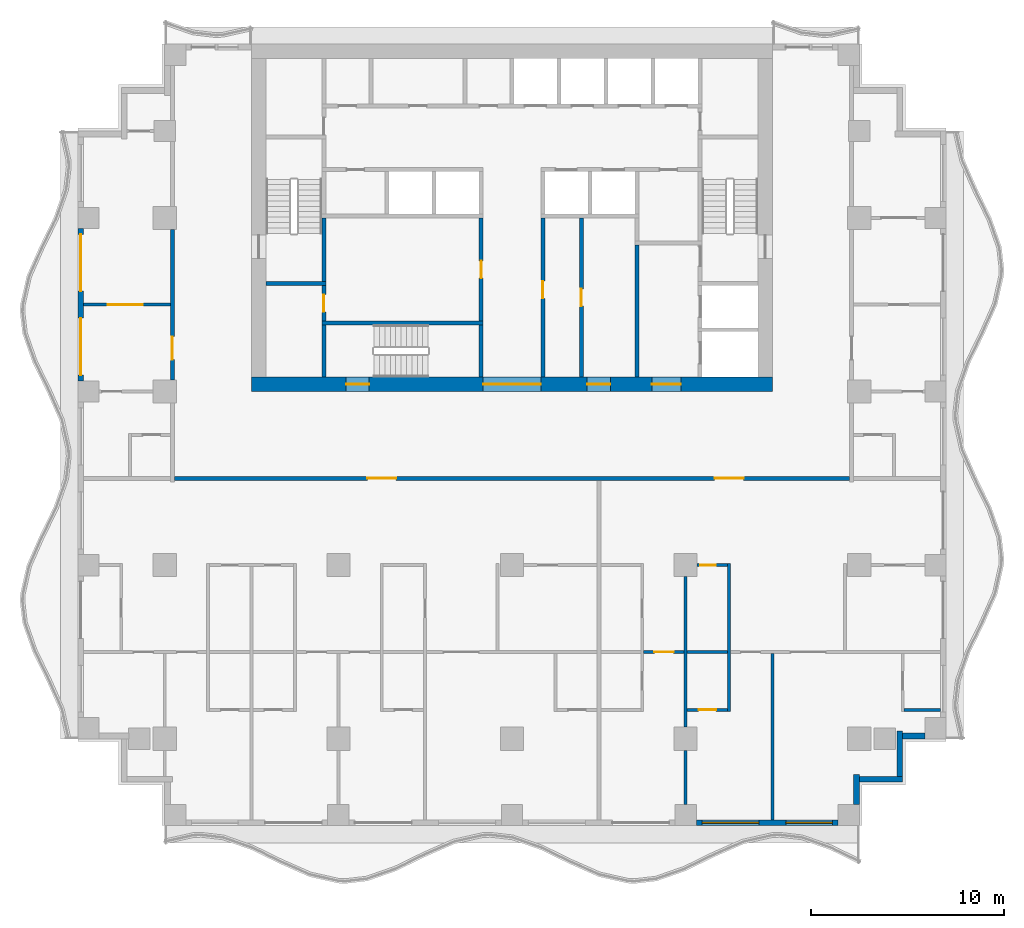
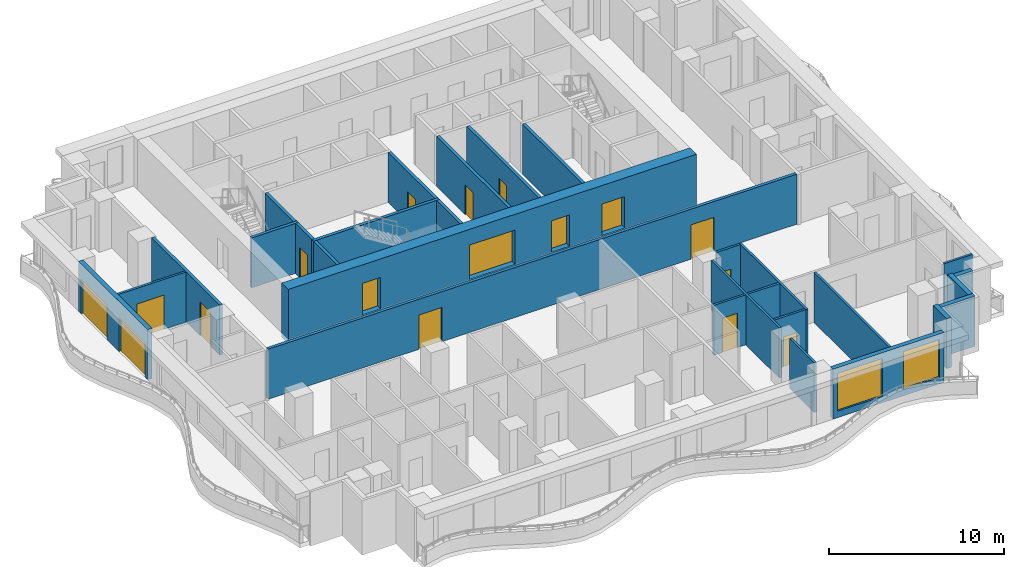
# One storey, part 3 of 10: 29 walls, 17 doors, 2 windows, 19 openings.
"""IFC4 building model written with IfcOpenShell, lengths in metres."""

from ifc_helpers import new_model, si_unit, direction, frame, frame_2d, origin, place, context, subcontext, project, spatial, rectangle, extrude, material, layer, layer_set, type_object, element, fill, save


model = new_model("IFC4")

# Units and contexts
model_context = context("Model", 3, precision=1e-05, world=origin(), true_north=direction((0.0, 1.0)))
body_context = subcontext(model_context, "Body", "Model", "MODEL_VIEW")
ifc_project = project(units=[si_unit("LENGTHUNIT", "METRE"), si_unit("AREAUNIT", "SQUARE_METRE"), si_unit("VOLUMEUNIT", "CUBIC_METRE"), si_unit("PLANEANGLEUNIT", "RADIAN"), si_unit("MASSUNIT", "GRAM", prefix="KILO")], contexts=[model_context])

# Site, building, storey
site_placement = place(None, origin())
site = spatial("IfcSite", under=ifc_project, at=site_placement, CompositionType="ELEMENT")
building_placement = place(site_placement, origin())
building = spatial("IfcBuilding", under=site, at=building_placement, Name="Orbiselva Terraces", CompositionType="ELEMENT")
storey_placement = place(building_placement, frame((0.0, 0.0, 163.0)))
storey = spatial("IfcBuildingStorey", under=building, at=storey_placement, Name="L41", CompositionType="ELEMENT", Elevation=163.0)

# Wall, openings, doors
ifc_material_1 = material(Name="Concrete C80/95", Category="concrete")
ifc_layer_1 = layer(ifc_material_1, 0.75)
ifc_layer_set_1 = layer_set([ifc_layer_1], Name="Concrete C80/95")
wall_type_1 = type_object("IfcWallType", Name="CORE WALL 750", PredefinedType="SHEAR", material=ifc_layer_set_1)
wall_1_placement = place(storey_placement, frame((-13.5, 4.875, -0.3), z_axis=(0.0, 0.0, 1.0), x_axis=(1.0, 0.0, 0.0)))
wall_1 = element("IfcWall", 1, at=wall_1_placement, inside=storey, type_object=wall_type_1, Name="Core wall L41 south", PredefinedType="SHEAR", context=body_context, shape_type="SweptSolid", body=[
    extrude(rectangle(XDim=27.0, YDim=0.75, at=frame_2d((13.5, 0.0))), origin(), (0.0, 0.0, 1.0), 3.8),
])
opening_1_placement = place(wall_1_placement, frame((12.0, 0.0, 0.3)))
opening_1 = element("IfcOpeningElement", 2, at=opening_1_placement, cuts=wall_1, Name="Opening DL3000", PredefinedType="OPENING", context=body_context, shape_type="SweptSolid", body=[
    extrude(rectangle(XDim=3.0, YDim=2.4, at=frame_2d((1.5, 1.2))), frame((0.0, 0.385, 0.0), z_axis=(0.0, -1.0, 0.0), x_axis=(1.0, 0.0, 0.0)), (0.0, 0.0, 1.0), 0.77),
])
opening_2_placement = place(wall_1_placement, frame((4.9, 0.0, 0.3)))
opening_2 = element("IfcOpeningElement", 3, at=opening_2_placement, cuts=wall_1, Name="Opening DS1200", PredefinedType="OPENING", context=body_context, shape_type="SweptSolid", body=[
    extrude(rectangle(XDim=1.2, YDim=2.2, at=frame_2d((0.6, 1.1))), frame((0.0, 0.385, 0.0), z_axis=(0.0, -1.0, 0.0), x_axis=(1.0, 0.0, 0.0)), (0.0, 0.0, 1.0), 0.77),
])
opening_3_placement = place(wall_1_placement, frame((20.75, 0.0, 0.3)))
opening_3 = element("IfcOpeningElement", 4, at=opening_3_placement, cuts=wall_1, Name="Opening DF1500", PredefinedType="OPENING", context=body_context, shape_type="SweptSolid", body=[
    extrude(rectangle(XDim=1.5, YDim=2.2, at=frame_2d((0.75, 1.1))), frame((0.0, 0.385, 0.0), z_axis=(0.0, -1.0, 0.0), x_axis=(1.0, 0.0, 0.0)), (0.0, 0.0, 1.0), 0.77),
])
opening_4_placement = place(wall_1_placement, frame((17.4, 0.0, 0.3)))
opening_4 = element("IfcOpeningElement", 5, at=opening_4_placement, cuts=wall_1, Name="Opening DV1200", PredefinedType="OPENING", context=body_context, shape_type="SweptSolid", body=[
    extrude(rectangle(XDim=1.2, YDim=2.2, at=frame_2d((0.6, 1.1))), frame((0.0, 0.385, 0.0), z_axis=(0.0, -1.0, 0.0), x_axis=(1.0, 0.0, 0.0)), (0.0, 0.0, 1.0), 0.77),
])
ifc_material_2 = material(Name="Steel fire door", Category="steel")
door_type_1 = type_object("IfcDoorType", Name="FFL DOOR 1500", OperationType="DOUBLE_DOOR_SINGLE_SWING", PredefinedType="DOOR", material=ifc_material_2)
door_1_placement = place(opening_3_placement, frame((1.5, 0.0, 0.0), z_axis=(0.0, 0.0, 1.0), x_axis=(-1.0, 0.0, 0.0)))
door_1 = element("IfcDoor", 6, at=door_1_placement, inside=storey, type_object=door_type_1, Name="L41 FIRE-FIGHTING LOBBY door", OperationType="DOUBLE_DOOR_SINGLE_SWING", OverallHeight=2.2, OverallWidth=1.5, PredefinedType="DOOR", context=body_context, shape_type="SweptSolid", body=[
    extrude(rectangle(XDim=1.5, YDim=2.2, at=frame_2d((0.75, 1.1))), frame((0.0, 0.025, 0.0), z_axis=(0.0, -1.0, 0.0), x_axis=(1.0, 0.0, 0.0)), (0.0, 0.0, 1.0), 0.05),
])
fill(opening_3, door_1)
door_type_2 = type_object("IfcDoorType", Name="LOBBY DOOR 3000", OperationType="DOUBLE_DOOR_SINGLE_SWING", PredefinedType="DOOR", material=ifc_material_2)
door_2_placement = place(opening_1_placement, frame((3.0, 0.0, 0.0), z_axis=(0.0, 0.0, 1.0), x_axis=(-1.0, 0.0, 0.0)))
door_2 = element("IfcDoor", 7, at=door_2_placement, inside=storey, type_object=door_type_2, Name="L41 LIFT LOBBY door", OperationType="DOUBLE_DOOR_SINGLE_SWING", OverallHeight=2.4, OverallWidth=3.0, PredefinedType="DOOR", context=body_context, shape_type="SweptSolid", body=[
    extrude(rectangle(XDim=3.0, YDim=2.4, at=frame_2d((1.5, 1.2))), frame((0.0, 0.025, 0.0), z_axis=(0.0, -1.0, 0.0), x_axis=(1.0, 0.0, 0.0)), (0.0, 0.0, 1.0), 0.05),
])
fill(opening_1, door_2)
door_type_3 = type_object("IfcDoorType", Name="SERVICE DOOR 1200", OperationType="NOTDEFINED", PredefinedType="DOOR", material=ifc_material_2)
door_3_placement = place(opening_4_placement, frame((1.2, 0.0, 0.0), z_axis=(0.0, 0.0, 1.0), x_axis=(-1.0, 0.0, 0.0)))
door_3 = element("IfcDoor", 8, at=door_3_placement, inside=storey, type_object=door_type_3, Name="L41 SERVICE ROOM door", OperationType="SINGLE_SWING_RIGHT", OverallHeight=2.2, OverallWidth=1.2, PredefinedType="DOOR", context=body_context, shape_type="SweptSolid", body=[
    extrude(rectangle(XDim=1.2, YDim=2.2, at=frame_2d((0.6, 1.1))), frame((0.0, 0.025, 0.0), z_axis=(0.0, -1.0, 0.0), x_axis=(1.0, 0.0, 0.0)), (0.0, 0.0, 1.0), 0.05),
])
fill(opening_4, door_3)
door_type_4 = type_object("IfcDoorType", Name="STAIR DOOR 1200", OperationType="NOTDEFINED", PredefinedType="DOOR", material=ifc_material_2)
door_4_placement = place(opening_2_placement, frame((1.2, 0.0, 0.0), z_axis=(0.0, 0.0, 1.0), x_axis=(-1.0, 0.0, 0.0)))
door_4 = element("IfcDoor", 9, at=door_4_placement, inside=storey, type_object=door_type_4, Name="L41 EXIT STAIR S3 door", OperationType="SINGLE_SWING_LEFT", OverallHeight=2.2, OverallWidth=1.2, PredefinedType="DOOR", context=body_context, shape_type="SweptSolid", body=[
    extrude(rectangle(XDim=1.2, YDim=2.2, at=frame_2d((0.6, 1.1))), frame((0.0, 0.025, 0.0), z_axis=(0.0, -1.0, 0.0), x_axis=(1.0, 0.0, 0.0)), (0.0, 0.0, 1.0), 0.05),
])
fill(opening_2, door_4)

# Wall, opening, door
ifc_material_3 = material(Name="Masonry blockwork", Category="masonry")
ifc_layer_2 = layer(ifc_material_3, 0.2)
ifc_layer_set_2 = layer_set([ifc_layer_2], Name="Masonry blockwork")
wall_type_2 = type_object("IfcWallType", Name="CORE-WALL-PARTITION-200", PredefinedType="PARTITIONING", material=ifc_layer_set_2)
wall_2_placement = place(storey_placement, frame((-9.75, 8.15, 0.0), z_axis=(0.0, 0.0, 1.0), x_axis=(0.0, 1.0, 0.0)))
wall_2 = element("IfcWall", 10, at=wall_2_placement, inside=storey, type_object=wall_type_2, Name="L41 core wall 05", PredefinedType="PARTITIONING", context=body_context, shape_type="SweptSolid", body=[
    extrude(rectangle(XDim=1.85, YDim=0.2, at=frame_2d((0.925, 0.0))), origin(), (0.0, 0.0, 1.0), 3.5),
])
opening_5_placement = place(wall_2_placement, frame((0.475, 0.0, 0.0)))
opening_5 = element("IfcOpeningElement", 11, at=opening_5_placement, cuts=wall_2, Name="Opening DR900", PredefinedType="OPENING", context=body_context, shape_type="SweptSolid", body=[
    extrude(rectangle(XDim=0.9, YDim=2.1, at=frame_2d((0.45, 1.05))), frame((0.0, 0.11, 0.0), z_axis=(0.0, -1.0, 0.0), x_axis=(1.0, 0.0, 0.0)), (0.0, 0.0, 1.0), 0.22),
])
door_type_5 = type_object("IfcDoorType", Name="ROOM DOOR 900", OperationType="NOTDEFINED", PredefinedType="DOOR", material=ifc_material_2)
door_5_placement = place(opening_5_placement, origin())
door_5 = element("IfcDoor", 12, at=door_5_placement, inside=storey, type_object=door_type_5, Name="L41 ACCESSIBLE WC door", OperationType="SINGLE_SWING_RIGHT", OverallHeight=2.1, OverallWidth=0.9, PredefinedType="DOOR", context=body_context, shape_type="SweptSolid", body=[
    extrude(rectangle(XDim=0.9, YDim=2.1, at=frame_2d((0.45, 1.05))), frame((0.0, 0.025, 0.0), z_axis=(0.0, -1.0, 0.0), x_axis=(1.0, 0.0, 0.0)), (0.0, 0.0, 1.0), 0.05),
])
fill(opening_5, door_5)

wall_3_placement = place(storey_placement, frame((3.6, 13.5, 0.0), z_axis=(0.0, 0.0, 1.0), x_axis=(0.0, -1.0, 0.0)))
wall_3 = element("IfcWall", 13, at=wall_3_placement, inside=storey, type_object=wall_type_2, Name="L41 core wall 27", PredefinedType="PARTITIONING", context=body_context, shape_type="SweptSolid", body=[
    extrude(rectangle(XDim=8.25, YDim=0.2, at=frame_2d((4.125, 0.0))), origin(), (0.0, 0.0, 1.0), 3.5),
])
opening_6_placement = place(wall_3_placement, frame((3.675, 0.0, 0.0)))
opening_6 = element("IfcOpeningElement", 14, at=opening_6_placement, cuts=wall_3, Name="Opening DR900", PredefinedType="OPENING", context=body_context, shape_type="SweptSolid", body=[
    extrude(rectangle(XDim=0.9, YDim=2.1, at=frame_2d((0.45, 1.05))), frame((0.0, 0.11, 0.0), z_axis=(0.0, -1.0, 0.0), x_axis=(1.0, 0.0, 0.0)), (0.0, 0.0, 1.0), 0.22),
])
door_6_placement = place(opening_6_placement, origin())
door_6 = element("IfcDoor", 15, at=door_6_placement, inside=storey, type_object=door_type_5, Name="L41 SERVICE ROOM door", OperationType="SINGLE_SWING_RIGHT", OverallHeight=2.1, OverallWidth=0.9, PredefinedType="DOOR", context=body_context, shape_type="SweptSolid", body=[
    extrude(rectangle(XDim=0.9, YDim=2.1, at=frame_2d((0.45, 1.05))), frame((0.0, 0.025, 0.0), z_axis=(0.0, -1.0, 0.0), x_axis=(1.0, 0.0, 0.0)), (0.0, 0.0, 1.0), 0.05),
])
fill(opening_6, door_6)

# Walls
ifc_material_4 = material(Name="Concrete C60/75", Category="concrete")
ifc_layer_3 = layer(ifc_material_4, 0.2)
ifc_layer_set_3 = layer_set([ifc_layer_3], Name="Concrete C60/75")
wall_type_3 = type_object("IfcWallType", Name="CORE-WALL-SHEAR-200", PredefinedType="SHEAR", material=ifc_layer_set_3)
wall_4_placement = place(storey_placement, frame((-12.75, 10.1, 0.0), z_axis=(0.0, 0.0, 1.0), x_axis=(1.0, 0.0, 0.0)))
element("IfcWall", 16, at=wall_4_placement, inside=storey, type_object=wall_type_3, Name="L41 core wall 01", PredefinedType="SHEAR", context=body_context, shape_type="SweptSolid", body=[
    extrude(rectangle(XDim=3.1, YDim=0.2, at=frame_2d((1.55, 0.0))), origin(), (0.0, 0.0, 1.0), 3.5),
])
wall_5_placement = place(storey_placement, frame((-9.75, 5.25, 0.0), z_axis=(0.0, 0.0, 1.0), x_axis=(0.0, 1.0, 0.0)))
element("IfcWall", 17, at=wall_5_placement, inside=storey, type_object=wall_type_3, Name="L41 core wall 03", PredefinedType="SHEAR", context=body_context, shape_type="SweptSolid", body=[
    extrude(rectangle(XDim=2.7, YDim=0.2, at=frame_2d((1.35, 0.0))), origin(), (0.0, 0.0, 1.0), 3.5),
])
wall_6_placement = place(storey_placement, frame((-9.85, 8.05, 0.0), z_axis=(0.0, 0.0, 1.0), x_axis=(1.0, 0.0, 0.0)))
element("IfcWall", 18, at=wall_6_placement, inside=storey, type_object=wall_type_3, Name="L41 core wall 04", PredefinedType="SHEAR", context=body_context, shape_type="SweptSolid", body=[
    extrude(rectangle(XDim=8.35, YDim=0.2, at=frame_2d((4.175, 0.0))), origin(), (0.0, 0.0, 1.0), 3.5),
])
wall_7_placement = place(storey_placement, frame((-9.75, 10.2, 0.0), z_axis=(0.0, 0.0, 1.0), x_axis=(0.0, 1.0, 0.0)))
element("IfcWall", 19, at=wall_7_placement, inside=storey, type_object=wall_type_3, Name="L41 core wall 06", PredefinedType="SHEAR", context=body_context, shape_type="SweptSolid", body=[
    extrude(rectangle(XDim=3.3, YDim=0.2, at=frame_2d((1.65, 0.0))), origin(), (0.0, 0.0, 1.0), 3.5),
])
wall_8_placement = place(storey_placement, frame((-1.6, 5.25, 0.0), z_axis=(0.0, 0.0, 1.0), x_axis=(0.0, 1.0, 0.0)))
element("IfcWall", 20, at=wall_8_placement, inside=storey, type_object=wall_type_3, Name="L41 core wall 18", PredefinedType="SHEAR", context=body_context, shape_type="SweptSolid", body=[
    extrude(rectangle(XDim=2.7, YDim=0.2, at=frame_2d((1.35, 0.0))), origin(), (0.0, 0.0, 1.0), 3.5),
])

# Wall, opening, door
wall_9_placement = place(storey_placement, frame((-1.6, 8.15, 0.0), z_axis=(0.0, 0.0, 1.0), x_axis=(0.0, 1.0, 0.0)))
wall_9 = element("IfcWall", 21, at=wall_9_placement, inside=storey, type_object=wall_type_3, Name="L41 core wall 19", PredefinedType="SHEAR", context=body_context, shape_type="SweptSolid", body=[
    extrude(rectangle(XDim=5.35, YDim=0.2, at=frame_2d((2.675, 0.0))), origin(), (0.0, 0.0, 1.0), 3.5),
])
opening_7_placement = place(wall_9_placement, frame((2.225, 0.0, 0.0)))
opening_7 = element("IfcOpeningElement", 22, at=opening_7_placement, cuts=wall_9, Name="Opening DR900", PredefinedType="OPENING", context=body_context, shape_type="SweptSolid", body=[
    extrude(rectangle(XDim=0.9, YDim=2.1, at=frame_2d((0.45, 1.05))), frame((0.0, 0.11, 0.0), z_axis=(0.0, -1.0, 0.0), x_axis=(1.0, 0.0, 0.0)), (0.0, 0.0, 1.0), 0.22),
])
door_7_placement = place(opening_7_placement, origin())
door_7 = element("IfcDoor", 23, at=door_7_placement, inside=storey, type_object=door_type_5, Name="L41 LINEN STORE door", OperationType="SINGLE_SWING_RIGHT", OverallHeight=2.1, OverallWidth=0.9, PredefinedType="DOOR", context=body_context, shape_type="SweptSolid", body=[
    extrude(rectangle(XDim=0.9, YDim=2.1, at=frame_2d((0.45, 1.05))), frame((0.0, 0.025, 0.0), z_axis=(0.0, -1.0, 0.0), x_axis=(1.0, 0.0, 0.0)), (0.0, 0.0, 1.0), 0.05),
])
fill(opening_7, door_7)

wall_10_placement = place(storey_placement, frame((1.6, 13.5, 0.0), z_axis=(0.0, 0.0, 1.0), x_axis=(0.0, -1.0, 0.0)))
wall_10 = element("IfcWall", 24, at=wall_10_placement, inside=storey, type_object=wall_type_3, Name="L41 core wall 22", PredefinedType="SHEAR", context=body_context, shape_type="SweptSolid", body=[
    extrude(rectangle(XDim=8.25, YDim=0.2, at=frame_2d((4.125, 0.0))), origin(), (0.0, 0.0, 1.0), 3.5),
])
opening_8_placement = place(wall_10_placement, frame((3.275, 0.0, 0.0)))
opening_8 = element("IfcOpeningElement", 25, at=opening_8_placement, cuts=wall_10, Name="Opening DR900", PredefinedType="OPENING", context=body_context, shape_type="SweptSolid", body=[
    extrude(rectangle(XDim=0.9, YDim=2.1, at=frame_2d((0.45, 1.05))), frame((0.0, 0.11, 0.0), z_axis=(0.0, -1.0, 0.0), x_axis=(1.0, 0.0, 0.0)), (0.0, 0.0, 1.0), 0.22),
])
door_8_placement = place(opening_8_placement, origin())
door_8 = element("IfcDoor", 26, at=door_8_placement, inside=storey, type_object=door_type_5, Name="L41 COMMS ROOM door", OperationType="SINGLE_SWING_LEFT", OverallHeight=2.1, OverallWidth=0.9, PredefinedType="DOOR", context=body_context, shape_type="SweptSolid", body=[
    extrude(rectangle(XDim=0.9, YDim=2.1, at=frame_2d((0.45, 1.05))), frame((0.0, 0.025, 0.0), z_axis=(0.0, -1.0, 0.0), x_axis=(1.0, 0.0, 0.0)), (0.0, 0.0, 1.0), 0.05),
])
fill(opening_8, door_8)

# Wall
wall_11_placement = place(storey_placement, frame((6.475, 5.25, 0.0), z_axis=(0.0, 0.0, 1.0), x_axis=(0.0, 1.0, 0.0)))
element("IfcWall", 27, at=wall_11_placement, inside=storey, type_object=wall_type_3, Name="L41 core wall 30", PredefinedType="SHEAR", context=body_context, shape_type="SweptSolid", body=[
    extrude(rectangle(XDim=6.85, YDim=0.2, at=frame_2d((3.425, 0.0))), origin(), (0.0, 0.0, 1.0), 3.5),
])

# Wall, openings, windows
ifc_material_5 = material(Name="Terracotta cladding on masonry backing", Category="masonry")
ifc_layer_4 = layer(ifc_material_5, 0.3)
ifc_layer_set_4 = layer_set([ifc_layer_4], Name="Terracotta cladding on masonry backing")
wall_type_4 = type_object("IfcWallType", Name="ENV-WALL-TERRACOTTA-300", PredefinedType="SOLIDWALL", material=ifc_layer_set_4)
wall_12_placement = place(storey_placement, frame((16.9, -17.85, 0.0), z_axis=(0.0, 0.0, 1.0), x_axis=(-1.0, 0.0, 0.0)))
wall_12 = element("IfcWall", 28, at=wall_12_placement, inside=storey, type_object=wall_type_4, Name="Facade wall L41 S", PredefinedType="SOLIDWALL", context=body_context, shape_type="SweptSolid", body=[
    extrude(rectangle(XDim=7.35, YDim=0.3, at=frame_2d((3.675, 0.0))), origin(), (0.0, 0.0, 1.0), 3.5),
])
opening_9_placement = place(wall_12_placement, frame((4.1, 0.0, 0.45)))
opening_9 = element("IfcOpeningElement", 29, at=opening_9_placement, cuts=wall_12, Name="Opening WN12", PredefinedType="OPENING", context=body_context, shape_type="SweptSolid", body=[
    extrude(rectangle(XDim=2.95, YDim=2.65, at=frame_2d((1.475, 1.325))), frame((0.0, 0.16, 0.0), z_axis=(0.0, -1.0, 0.0), x_axis=(1.0, 0.0, 0.0)), (0.0, 0.0, 1.0), 0.32),
])
opening_10_placement = place(wall_12_placement, frame((0.3, 0.0, 0.45)))
opening_10 = element("IfcOpeningElement", 30, at=opening_10_placement, cuts=wall_12, Name="Opening WN11", PredefinedType="OPENING", context=body_context, shape_type="SweptSolid", body=[
    extrude(rectangle(XDim=2.4, YDim=2.65, at=frame_2d((1.2, 1.325))), frame((0.0, 0.16, 0.0), z_axis=(0.0, -1.0, 0.0), x_axis=(1.0, 0.0, 0.0)), (0.0, 0.0, 1.0), 0.32),
])
ifc_material_6 = material(Name="Clear low-e glazing in aluminium frame", Category="aluminium")
window_type_1 = type_object("IfcWindowType", Name="WINDOW 2400 X 2650 S450", PartitioningType="TRIPLE_PANEL_VERTICAL", PredefinedType="WINDOW", material=ifc_material_6)
window_1_placement = place(opening_10_placement, origin())
window_1 = element("IfcWindow", 31, at=window_1_placement, inside=storey, type_object=window_type_1, Name="Window L41 S", OverallHeight=2.65, OverallWidth=2.4, PartitioningType="SINGLE_PANEL", PredefinedType="WINDOW", context=body_context, shape_type="SweptSolid", body=[
    extrude(rectangle(XDim=2.4, YDim=2.65, at=frame_2d((1.2, 1.325))), frame((0.0, 0.03, 0.0), z_axis=(0.0, -1.0, 0.0), x_axis=(1.0, 0.0, 0.0)), (0.0, 0.0, 1.0), 0.06),
])
fill(opening_10, window_1)
window_type_2 = type_object("IfcWindowType", Name="WINDOW 2950 X 2650 S450", PartitioningType="TRIPLE_PANEL_VERTICAL", PredefinedType="WINDOW", material=ifc_material_6)
window_2_placement = place(opening_9_placement, origin())
window_2 = element("IfcWindow", 32, at=window_2_placement, inside=storey, type_object=window_type_2, Name="Window L41 S", OverallHeight=2.65, OverallWidth=2.95, PartitioningType="SINGLE_PANEL", PredefinedType="WINDOW", context=body_context, shape_type="SweptSolid", body=[
    extrude(rectangle(XDim=2.95, YDim=2.65, at=frame_2d((1.475, 1.325))), frame((0.0, 0.03, 0.0), z_axis=(0.0, -1.0, 0.0), x_axis=(1.0, 0.0, 0.0)), (0.0, 0.0, 1.0), 0.06),
])
fill(opening_9, window_2)

# Walls
wall_13_placement = place(storey_placement, frame((17.85, -15.35, 0.0), z_axis=(0.0, 0.0, 1.0), x_axis=(0.0, -1.0, 0.0)))
element("IfcWall", 33, at=wall_13_placement, inside=storey, type_object=wall_type_4, Name="Facade wall L41 STEP", PredefinedType="SOLIDWALL", context=body_context, shape_type="SweptSolid", body=[
    extrude(rectangle(XDim=1.55, YDim=0.3, at=frame_2d((0.775, 0.0))), origin(), (0.0, 0.0, 1.0), 3.5),
])
wall_14_placement = place(storey_placement, frame((20.25, -15.6, 0.0), z_axis=(0.0, 0.0, 1.0), x_axis=(-1.0, 0.0, 0.0)))
element("IfcWall", 34, at=wall_14_placement, inside=storey, type_object=wall_type_4, Name="Facade wall L41 STEP", PredefinedType="SOLIDWALL", context=body_context, shape_type="SweptSolid", body=[
    extrude(rectangle(XDim=2.25, YDim=0.3, at=frame_2d((1.125, 0.0))), origin(), (0.0, 0.0, 1.0), 3.5),
])
wall_15_placement = place(storey_placement, frame((20.1, -13.1, 0.0), z_axis=(0.0, 0.0, 1.0), x_axis=(0.0, -1.0, 0.0)))
element("IfcWall", 35, at=wall_15_placement, inside=storey, type_object=wall_type_4, Name="Facade wall L41 STEP", PredefinedType="SOLIDWALL", context=body_context, shape_type="SweptSolid", body=[
    extrude(rectangle(XDim=2.35, YDim=0.3, at=frame_2d((1.175, 0.0))), origin(), (0.0, 0.0, 1.0), 3.5),
])
wall_16_placement = place(storey_placement, frame((21.4, -13.35, 0.0), z_axis=(0.0, 0.0, 1.0), x_axis=(-1.0, 0.0, 0.0)))
element("IfcWall", 36, at=wall_16_placement, inside=storey, type_object=wall_type_4, Name="Facade wall L41 STEP", PredefinedType="SOLIDWALL", context=body_context, shape_type="SweptSolid", body=[
    extrude(rectangle(XDim=1.15, YDim=0.3, at=frame_2d((0.575, 0.0))), origin(), (0.0, 0.0, 1.0), 3.5),
])

# Wall, openings, doors
wall_17_placement = place(storey_placement, frame((-22.35, 5.05, 0.0), z_axis=(0.0, 0.0, 1.0), x_axis=(0.0, 1.0, 0.0)))
wall_17 = element("IfcWall", 37, at=wall_17_placement, inside=storey, type_object=wall_type_4, Name="Facade wall L41 W", PredefinedType="SOLIDWALL", context=body_context, shape_type="SweptSolid", body=[
    extrude(rectangle(XDim=7.9, YDim=0.3, at=frame_2d((3.95, 0.0))), origin(), (0.0, 0.0, 1.0), 3.5),
])
opening_11_placement = place(wall_17_placement, frame((4.65, 0.0, 0.0)))
opening_11 = element("IfcOpeningElement", 38, at=opening_11_placement, cuts=wall_17, Name="Opening Z3-D-E13", PredefinedType="OPENING", context=body_context, shape_type="SweptSolid", body=[
    extrude(rectangle(XDim=2.95, YDim=2.4, at=frame_2d((1.475, 1.2))), frame((0.0, 0.16, 0.0), z_axis=(0.0, -1.0, 0.0), x_axis=(1.0, 0.0, 0.0)), (0.0, 0.0, 1.0), 0.32),
])
opening_12_placement = place(wall_17_placement, frame((0.3, 0.0, 0.0)))
opening_12 = element("IfcOpeningElement", 39, at=opening_12_placement, cuts=wall_17, Name="Opening Z3-D-E07", PredefinedType="OPENING", context=body_context, shape_type="SweptSolid", body=[
    extrude(rectangle(XDim=2.95, YDim=2.4, at=frame_2d((1.475, 1.2))), frame((0.0, 0.16, 0.0), z_axis=(0.0, -1.0, 0.0), x_axis=(1.0, 0.0, 0.0)), (0.0, 0.0, 1.0), 0.32),
])
door_type_6 = type_object("IfcDoorType", Name="BALCONY DOOR 2950 X 2400", OperationType="DOUBLE_DOOR_SLIDING", PredefinedType="DOOR", material=ifc_material_6)
door_9_placement = place(opening_11_placement, origin())
door_9 = element("IfcDoor", 40, at=door_9_placement, inside=storey, type_object=door_type_6, Name="Z3-D-E13", OperationType="SINGLE_SWING_LEFT", OverallHeight=2.4, OverallWidth=2.95, PredefinedType="DOOR", context=body_context, shape_type="SweptSolid", body=[
    extrude(rectangle(XDim=2.95, YDim=2.4, at=frame_2d((1.475, 1.2))), frame((0.0, 0.025, 0.0), z_axis=(0.0, -1.0, 0.0), x_axis=(1.0, 0.0, 0.0)), (0.0, 0.0, 1.0), 0.05),
])
fill(opening_11, door_9)
door_10_placement = place(opening_12_placement, origin())
door_10 = element("IfcDoor", 41, at=door_10_placement, inside=storey, type_object=door_type_6, Name="Z3-D-E07", OperationType="SINGLE_SWING_LEFT", OverallHeight=2.4, OverallWidth=2.95, PredefinedType="DOOR", context=body_context, shape_type="SweptSolid", body=[
    extrude(rectangle(XDim=2.95, YDim=2.4, at=frame_2d((1.475, 1.2))), frame((0.0, 0.025, 0.0), z_axis=(0.0, -1.0, 0.0), x_axis=(1.0, 0.0, 0.0)), (0.0, 0.0, 1.0), 0.05),
])
fill(opening_12, door_10)

ifc_material_7 = material(Name="Plasterboard on steel stud partition", Category="steel")
ifc_layer_5 = layer(ifc_material_7, 0.2)
ifc_layer_set_5 = layer_set([ifc_layer_5], Name="Plasterboard on steel stud partition")
wall_type_5 = type_object("IfcWallType", Name="UNIT-ENTRANCE-WALL-200", PredefinedType="PARTITIONING", material=ifc_layer_set_5)
wall_18_placement = place(storey_placement, frame((17.5, 0.0, 0.0), z_axis=(0.0, 0.0, 1.0), x_axis=(-1.0, 0.0, 0.0)))
wall_18 = element("IfcWall", 42, at=wall_18_placement, inside=storey, type_object=wall_type_5, Name="PARTITION L41-025", PredefinedType="PARTITIONING", context=body_context, shape_type="SweptSolid", body=[
    extrude(rectangle(XDim=35.0, YDim=0.2, at=frame_2d((17.5, 0.0))), origin(), (0.0, 0.0, 1.0), 3.5),
])
opening_13_placement = place(wall_18_placement, frame((23.5, 0.0, 0.0)))
opening_13 = element("IfcOpeningElement", 43, at=opening_13_placement, cuts=wall_18, Name="Opening Z3-D-11", PredefinedType="OPENING", context=body_context, shape_type="SweptSolid", body=[
    extrude(rectangle(XDim=1.5, YDim=2.4, at=frame_2d((0.75, 1.2))), frame((0.0, 0.11, 0.0), z_axis=(0.0, -1.0, 0.0), x_axis=(1.0, 0.0, 0.0)), (0.0, 0.0, 1.0), 0.22),
])
opening_14_placement = place(wall_18_placement, frame((5.5, 0.0, 0.0)))
opening_14 = element("IfcOpeningElement", 44, at=opening_14_placement, cuts=wall_18, Name="Opening Z3-D-26", PredefinedType="OPENING", context=body_context, shape_type="SweptSolid", body=[
    extrude(rectangle(XDim=1.5, YDim=2.4, at=frame_2d((0.75, 1.2))), frame((0.0, 0.11, 0.0), z_axis=(0.0, -1.0, 0.0), x_axis=(1.0, 0.0, 0.0)), (0.0, 0.0, 1.0), 0.22),
])
ifc_material_8 = material(Name="Painted timber door leaf", Category="wood")
door_type_7 = type_object("IfcDoorType", Name="ENTRANCE DOUBLE DOOR 1500", OperationType="NOTDEFINED", PredefinedType="DOOR", material=ifc_material_8)
door_11_placement = place(opening_13_placement, origin())
door_11 = element("IfcDoor", 45, at=door_11_placement, inside=storey, type_object=door_type_7, Name="Z3-D-11", OperationType="DOUBLE_DOOR_SINGLE_SWING", OverallHeight=2.4, OverallWidth=1.5, PredefinedType="DOOR", context=body_context, shape_type="SweptSolid", body=[
    extrude(rectangle(XDim=1.5, YDim=2.4, at=frame_2d((0.75, 1.2))), frame((0.0, 0.025, 0.0), z_axis=(0.0, -1.0, 0.0), x_axis=(1.0, 0.0, 0.0)), (0.0, 0.0, 1.0), 0.05),
])
fill(opening_13, door_11)
door_12_placement = place(opening_14_placement, origin())
door_12 = element("IfcDoor", 46, at=door_12_placement, inside=storey, type_object=door_type_7, Name="Z3-D-26", OperationType="DOUBLE_DOOR_SINGLE_SWING", OverallHeight=2.4, OverallWidth=1.5, PredefinedType="DOOR", context=body_context, shape_type="SweptSolid", body=[
    extrude(rectangle(XDim=1.5, YDim=2.4, at=frame_2d((0.75, 1.2))), frame((0.0, 0.025, 0.0), z_axis=(0.0, -1.0, 0.0), x_axis=(1.0, 0.0, 0.0)), (0.0, 0.0, 1.0), 0.05),
])
fill(opening_14, door_12)

# Wall, opening, door
wall_19_placement = place(storey_placement, frame((-17.6, 5.1, 0.0), z_axis=(0.0, 0.0, 1.0), x_axis=(0.0, 1.0, 0.0)))
wall_19 = element("IfcWall", 47, at=wall_19_placement, inside=storey, type_object=wall_type_5, Name="PARTITION L41-041", PredefinedType="PARTITIONING", context=body_context, shape_type="SweptSolid", body=[
    extrude(rectangle(XDim=7.8, YDim=0.2, at=frame_2d((3.9, 0.0))), origin(), (0.0, 0.0, 1.0), 3.5),
])
opening_15_placement = place(wall_19_placement, frame((1.05, 0.0, 0.0)))
opening_15 = element("IfcOpeningElement", 48, at=opening_15_placement, cuts=wall_19, Name="Opening Z3-D-03", PredefinedType="OPENING", context=body_context, shape_type="SweptSolid", body=[
    extrude(rectangle(XDim=1.2, YDim=2.4, at=frame_2d((0.6, 1.2))), frame((0.0, 0.11, 0.0), z_axis=(0.0, -1.0, 0.0), x_axis=(1.0, 0.0, 0.0)), (0.0, 0.0, 1.0), 0.22),
])
door_type_8 = type_object("IfcDoorType", Name="ENTRANCE DOOR 1200", OperationType="NOTDEFINED", PredefinedType="DOOR", material=ifc_material_8)
door_13_placement = place(opening_15_placement, origin())
door_13 = element("IfcDoor", 49, at=door_13_placement, inside=storey, type_object=door_type_8, Name="Z3-D-03", OperationType="SINGLE_SWING_LEFT", OverallHeight=2.4, OverallWidth=1.2, PredefinedType="DOOR", context=body_context, shape_type="SweptSolid", body=[
    extrude(rectangle(XDim=1.2, YDim=2.4, at=frame_2d((0.6, 1.2))), frame((0.0, 0.025, 0.0), z_axis=(0.0, -1.0, 0.0), x_axis=(1.0, 0.0, 0.0)), (0.0, 0.0, 1.0), 0.05),
])
fill(opening_15, door_13)

ifc_layer_6 = layer(ifc_material_7, 0.15)
ifc_layer_set_6 = layer_set([ifc_layer_6], Name="Plasterboard on steel stud partition")
wall_type_6 = type_object("IfcWallType", Name="UNIT-PARTITION-150", PredefinedType="PARTITIONING", material=ifc_layer_set_6)
wall_20_placement = place(storey_placement, frame((9.075, -12.0, 0.0), z_axis=(0.0, 0.0, 1.0), x_axis=(1.0, 0.0, 0.0)))
wall_20 = element("IfcWall", 50, at=wall_20_placement, inside=storey, type_object=wall_type_6, Name="PARTITION L41-006", PredefinedType="PARTITIONING", context=body_context, shape_type="SweptSolid", body=[
    extrude(rectangle(XDim=2.1, YDim=0.15, at=frame_2d((1.05, 0.0))), origin(), (0.0, 0.0, 1.0), 3.5),
])
opening_16_placement = place(wall_20_placement, frame((0.6, 0.0, 0.0)))
opening_16 = element("IfcOpeningElement", 51, at=opening_16_placement, cuts=wall_20, Name="Opening Z3-D-33", PredefinedType="OPENING", context=body_context, shape_type="SweptSolid", body=[
    extrude(rectangle(XDim=0.9, YDim=2.1, at=frame_2d((0.45, 1.05))), frame((0.0, 0.085, 0.0), z_axis=(0.0, -1.0, 0.0), x_axis=(1.0, 0.0, 0.0)), (0.0, 0.0, 1.0), 0.17),
])
door_type_9 = type_object("IfcDoorType", Name="BATH DOOR 900", OperationType="NOTDEFINED", PredefinedType="DOOR", material=ifc_material_8)
door_14_placement = place(opening_16_placement, origin())
door_14 = element("IfcDoor", 52, at=door_14_placement, inside=storey, type_object=door_type_9, Name="Z3-D-33", OperationType="SINGLE_SWING_LEFT", OverallHeight=2.1, OverallWidth=0.9, PredefinedType="DOOR", context=body_context, shape_type="SweptSolid", body=[
    extrude(rectangle(XDim=0.9, YDim=2.1, at=frame_2d((0.45, 1.05))), frame((0.0, 0.025, 0.0), z_axis=(0.0, -1.0, 0.0), x_axis=(1.0, 0.0, 0.0)), (0.0, 0.0, 1.0), 0.05),
])
fill(opening_16, door_14)

# Wall
wall_21_placement = place(storey_placement, frame((20.325, -12.0, 0.0), z_axis=(0.0, 0.0, 1.0), x_axis=(1.0, 0.0, 0.0)))
element("IfcWall", 53, at=wall_21_placement, inside=storey, type_object=wall_type_6, Name="PARTITION L41-007", PredefinedType="PARTITIONING", context=body_context, shape_type="SweptSolid", body=[
    extrude(rectangle(XDim=1.875, YDim=0.15, at=frame_2d((0.9375, 0.0))), origin(), (0.0, 0.0, 1.0), 3.5),
])

# Wall, opening, door
wall_22_placement = place(storey_placement, frame((8.925, -9.0, 0.0), z_axis=(0.0, 0.0, 1.0), x_axis=(-1.0, 0.0, 0.0)))
wall_22 = element("IfcWall", 54, at=wall_22_placement, inside=storey, type_object=wall_type_6, Name="PARTITION L41-015", PredefinedType="PARTITIONING", context=body_context, shape_type="SweptSolid", body=[
    extrude(rectangle(XDim=2.1, YDim=0.15, at=frame_2d((1.05, 0.0))), origin(), (0.0, 0.0, 1.0), 3.5),
])
opening_17_placement = place(wall_22_placement, frame((0.55, 0.0, 0.0)))
opening_17 = element("IfcOpeningElement", 55, at=opening_17_placement, cuts=wall_22, Name="Opening Z3-D-30", PredefinedType="OPENING", context=body_context, shape_type="SweptSolid", body=[
    extrude(rectangle(XDim=1.0, YDim=2.4, at=frame_2d((0.5, 1.2))), frame((0.0, 0.085, 0.0), z_axis=(0.0, -1.0, 0.0), x_axis=(1.0, 0.0, 0.0)), (0.0, 0.0, 1.0), 0.17),
])
door_type_10 = type_object("IfcDoorType", Name="ROOM DOOR 1000", OperationType="NOTDEFINED", PredefinedType="DOOR", material=ifc_material_8)
door_15_placement = place(opening_17_placement, origin())
door_15 = element("IfcDoor", 56, at=door_15_placement, inside=storey, type_object=door_type_10, Name="Z3-D-30", OperationType="SINGLE_SWING_LEFT", OverallHeight=2.4, OverallWidth=1.0, PredefinedType="DOOR", context=body_context, shape_type="SweptSolid", body=[
    extrude(rectangle(XDim=1.0, YDim=2.4, at=frame_2d((0.5, 1.2))), frame((0.0, 0.025, 0.0), z_axis=(0.0, -1.0, 0.0), x_axis=(1.0, 0.0, 0.0)), (0.0, 0.0, 1.0), 0.05),
])
fill(opening_17, door_15)

# Wall
wall_23_placement = place(storey_placement, frame((9.075, -9.0, 0.0), z_axis=(0.0, 0.0, 1.0), x_axis=(1.0, 0.0, 0.0)))
element("IfcWall", 57, at=wall_23_placement, inside=storey, type_object=wall_type_6, Name="PARTITION L41-016", PredefinedType="PARTITIONING", context=body_context, shape_type="SweptSolid", body=[
    extrude(rectangle(XDim=2.1, YDim=0.15, at=frame_2d((1.05, 0.0))), origin(), (0.0, 0.0, 1.0), 3.5),
])

# Wall, opening, door
wall_24_placement = place(storey_placement, frame((11.175, -4.5, 0.0), z_axis=(0.0, 0.0, 1.0), x_axis=(-1.0, 0.0, 0.0)))
wall_24 = element("IfcWall", 58, at=wall_24_placement, inside=storey, type_object=wall_type_6, Name="PARTITION L41-023", PredefinedType="PARTITIONING", context=body_context, shape_type="SweptSolid", body=[
    extrude(rectangle(XDim=1.575, YDim=0.15, at=frame_2d((0.7875, 0.0))), origin(), (0.0, 0.0, 1.0), 3.5),
])
opening_18_placement = place(wall_24_placement, frame((0.625, 0.0, 0.0)))
opening_18 = element("IfcOpeningElement", 59, at=opening_18_placement, cuts=wall_24, Name="Opening Z3-D-28", PredefinedType="OPENING", context=body_context, shape_type="SweptSolid", body=[
    extrude(rectangle(XDim=0.8, YDim=2.0, at=frame_2d((0.4, 1.0))), frame((0.0, 0.085, 0.0), z_axis=(0.0, -1.0, 0.0), x_axis=(1.0, 0.0, 0.0)), (0.0, 0.0, 1.0), 0.17),
])
door_type_11 = type_object("IfcDoorType", Name="STORE DOOR 800", OperationType="NOTDEFINED", PredefinedType="DOOR", material=ifc_material_8)
door_16_placement = place(opening_18_placement, origin())
door_16 = element("IfcDoor", 60, at=door_16_placement, inside=storey, type_object=door_type_11, Name="Z3-D-28", OperationType="SINGLE_SWING_RIGHT", OverallHeight=2.0, OverallWidth=0.8, PredefinedType="DOOR", context=body_context, shape_type="SweptSolid", body=[
    extrude(rectangle(XDim=0.8, YDim=2.0, at=frame_2d((0.4, 1.0))), frame((0.0, 0.025, 0.0), z_axis=(0.0, -1.0, 0.0), x_axis=(1.0, 0.0, 0.0)), (0.0, 0.0, 1.0), 0.05),
])
fill(opening_18, door_16)

wall_25_placement = place(storey_placement, frame((-22.2, 9.0, 0.0), z_axis=(0.0, 0.0, 1.0), x_axis=(1.0, 0.0, 0.0)))
wall_25 = element("IfcWall", 61, at=wall_25_placement, inside=storey, type_object=wall_type_6, Name="PARTITION L41-032", PredefinedType="PARTITIONING", context=body_context, shape_type="SweptSolid", body=[
    extrude(rectangle(XDim=4.5, YDim=0.15, at=frame_2d((2.25, 0.0))), origin(), (0.0, 0.0, 1.0), 3.5),
])
opening_19_placement = place(wall_25_placement, frame((1.25, 0.0, 0.0)))
opening_19 = element("IfcOpeningElement", 62, at=opening_19_placement, cuts=wall_25, Name="Opening Z3-D-04", PredefinedType="OPENING", context=body_context, shape_type="SweptSolid", body=[
    extrude(rectangle(XDim=1.8, YDim=2.4, at=frame_2d((0.9, 1.2))), frame((0.0, 0.085, 0.0), z_axis=(0.0, -1.0, 0.0), x_axis=(1.0, 0.0, 0.0)), (0.0, 0.0, 1.0), 0.17),
])
door_type_12 = type_object("IfcDoorType", Name="DOUBLE DOOR 1800", OperationType="NOTDEFINED", PredefinedType="DOOR", material=ifc_material_8)
door_17_placement = place(opening_19_placement, origin())
door_17 = element("IfcDoor", 63, at=door_17_placement, inside=storey, type_object=door_type_12, Name="Z3-D-04", OperationType="DOUBLE_DOOR_SINGLE_SWING", OverallHeight=2.4, OverallWidth=1.8, PredefinedType="DOOR", context=body_context, shape_type="SweptSolid", body=[
    extrude(rectangle(XDim=1.8, YDim=2.4, at=frame_2d((0.9, 1.2))), frame((0.0, 0.025, 0.0), z_axis=(0.0, -1.0, 0.0), x_axis=(1.0, 0.0, 0.0)), (0.0, 0.0, 1.0), 0.05),
])
fill(opening_19, door_17)

# Walls
wall_26_placement = place(storey_placement, frame((9.0, -16.9, 0.0), z_axis=(0.0, 0.0, 1.0), x_axis=(0.0, 1.0, 0.0)))
element("IfcWall", 64, at=wall_26_placement, inside=storey, type_object=wall_type_6, Name="PARTITION L41-055", PredefinedType="PARTITIONING", context=body_context, shape_type="SweptSolid", body=[
    extrude(rectangle(XDim=2.8, YDim=0.15, at=frame_2d((1.4, 0.0))), origin(), (0.0, 0.0, 1.0), 3.5),
])
wall_27_placement = place(storey_placement, frame((9.0, -12.9, 0.0), z_axis=(0.0, 0.0, 1.0), x_axis=(0.0, 1.0, 0.0)))
element("IfcWall", 65, at=wall_27_placement, inside=storey, type_object=wall_type_6, Name="PARTITION L41-056", PredefinedType="PARTITIONING", context=body_context, shape_type="SweptSolid", body=[
    extrude(rectangle(XDim=7.8, YDim=0.15, at=frame_2d((3.9, 0.0))), origin(), (0.0, 0.0, 1.0), 3.5),
])
wall_28_placement = place(storey_placement, frame((11.25, -12.075, 0.0), z_axis=(0.0, 0.0, 1.0), x_axis=(0.0, 1.0, 0.0)))
element("IfcWall", 66, at=wall_28_placement, inside=storey, type_object=wall_type_6, Name="PARTITION L41-057", PredefinedType="PARTITIONING", context=body_context, shape_type="SweptSolid", body=[
    extrude(rectangle(XDim=7.65, YDim=0.15, at=frame_2d((3.825, 0.0))), origin(), (0.0, 0.0, 1.0), 3.5),
])
wall_29_placement = place(storey_placement, frame((13.5, -17.7, 0.0), z_axis=(0.0, 0.0, 1.0), x_axis=(0.0, 1.0, 0.0)))
element("IfcWall", 67, at=wall_29_placement, inside=storey, type_object=wall_type_6, Name="PARTITION L41-058", PredefinedType="PARTITIONING", context=body_context, shape_type="SweptSolid", body=[
    extrude(rectangle(XDim=8.625, YDim=0.15, at=frame_2d((4.3125, 0.0))), origin(), (0.0, 0.0, 1.0), 3.5),
])

save(model, "model.ifc")
